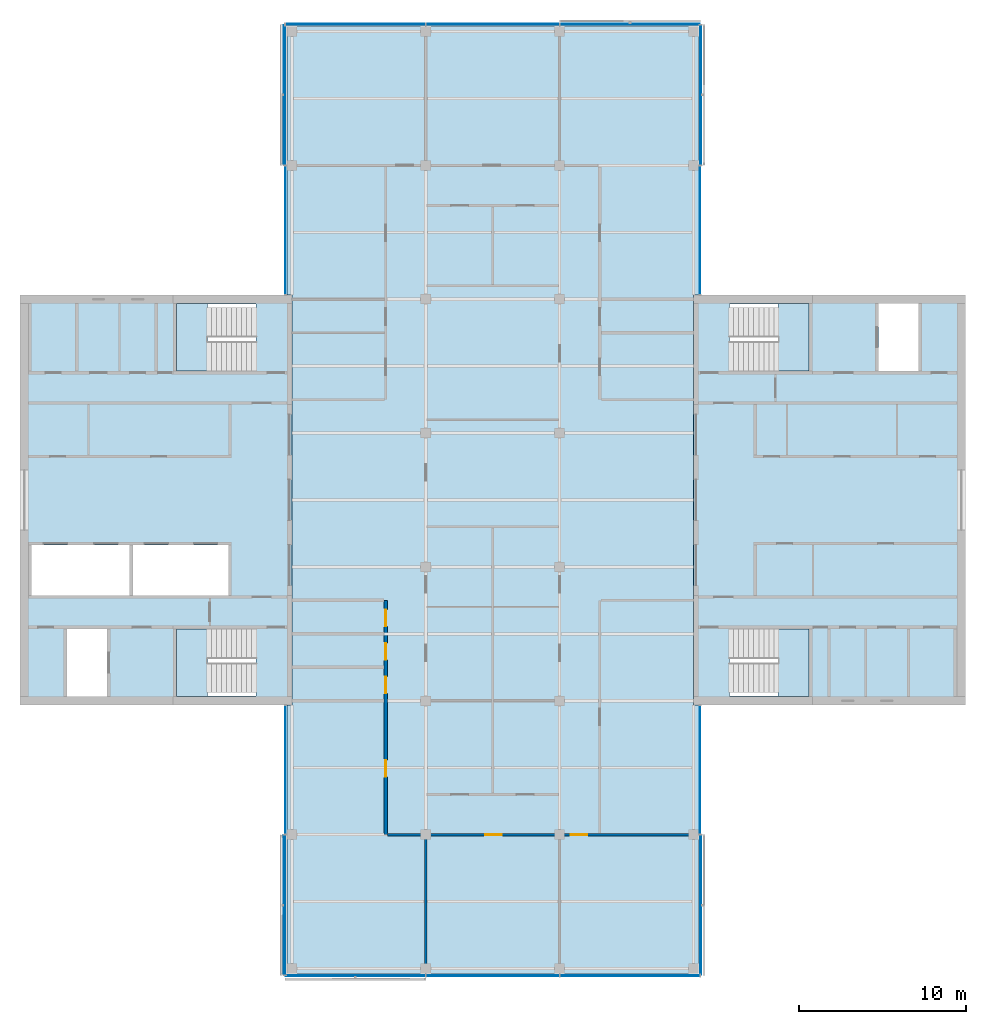
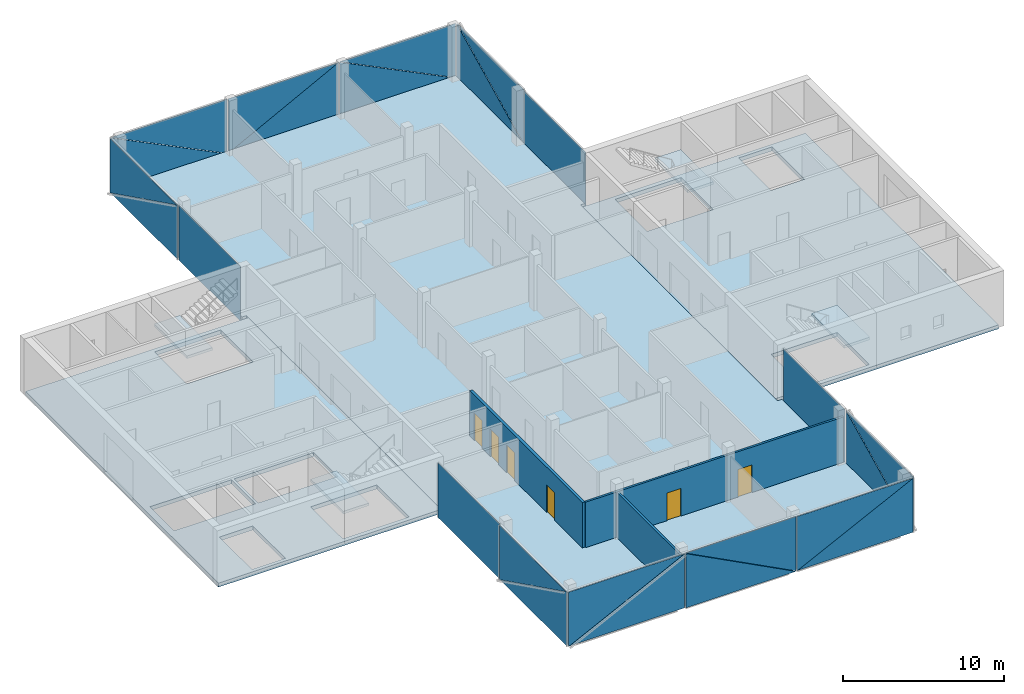
# One storey, part 8 of 16: 24 plates, 7 slabs, 6 doors, 3 walls, 6 openings, 14 elements without a shape of their own.
"""IFC4 building model written with IfcOpenShell, lengths in metres."""

import ifcopenshell
import ifcopenshell.guid

model = None  # the IFC model being written
_history = None  # IfcOwnerHistory: only IFC2X3 demands one
_inside = {}  # id of a spatial element -> (the spatial element, [elements in it])
_under = {}  # id of a project, library or spatial element -> (it, [spatial elements below it])
_declared = {}  # id of a project -> (the project, [libraries it declares])
_typed = {}  # id of a type object -> (the type object, [elements of that type])
_made_of = {}  # id of a material, layer set ... -> (it, [elements and type objects made of it])


def new_model(schema):
    """Start an empty IFC model of exactly this schema.

    Asked for "IFC4X3", IfcOpenShell would pick the latest addendum, in which some entities
    have other attributes; the version numbers below select the first issue.
    IFC2X3 requires an IfcOwnerHistory on every rooted entity: one is made here for all.
    """
    global model, _history
    if schema == "IFC4X3":
        model = ifcopenshell.file(schema_version=(4, 3, 0, 0))
    else:
        model = ifcopenshell.file(schema=schema)
    _inside.clear()
    _under.clear()
    _declared.clear()
    _typed.clear()
    _made_of.clear()
    _history = None
    if model.schema == "IFC2X3":
        org = make("IfcOrganization", Name="unknown")
        user = make(
            "IfcPersonAndOrganization",
            ThePerson=make("IfcPerson", FamilyName="unknown"),
            TheOrganization=org,
        )
        app = make(
            "IfcApplication",
            ApplicationDeveloper=org,
            Version="unknown",
            ApplicationFullName="unknown",
            ApplicationIdentifier="unknown",
        )
        _history = make(
            "IfcOwnerHistory",
            OwningUser=user,
            OwningApplication=app,
            ChangeAction="ADDED",
            CreationDate=0,
        )
    return model


def make(cls, **values):
    """One entity of the class cls with the attributes given. An attribute that is None is left unset."""
    return model.create_entity(
        cls, **{name: value for name, value in values.items() if value is not None}
    )


def rooted(cls, **values):
    """An entity with a GlobalId (a new one), such as an element, a storey or a relation."""
    return make(cls, GlobalId=ifcopenshell.guid.new(), OwnerHistory=_history, **values)


def si_unit(unit_type, name, prefix=None):
    """IfcSIUnit, for example si_unit("LENGTHUNIT", "METRE", prefix="MILLI")."""
    return make("IfcSIUnit", UnitType=unit_type, Prefix=prefix, Name=name)


def assignment(units):
    """IfcUnitAssignment: the units of a project."""
    return None if units is None else make("IfcUnitAssignment", Units=units)


def point(xyz):
    """IfcCartesianPoint."""
    return None if xyz is None else make("IfcCartesianPoint", Coordinates=xyz)


def direction(xyz):
    """IfcDirection."""
    return None if xyz is None else make("IfcDirection", DirectionRatios=xyz)


def frame(location, z_axis=None, x_axis=None):
    """IfcAxis2Placement3D, a coordinate frame: its origin and axes. An axis left out is left unset."""
    return make(
        "IfcAxis2Placement3D",
        Location=point(location),
        Axis=direction(z_axis),
        RefDirection=direction(x_axis),
    )


def frame_2d(location, x_axis=None):
    """IfcAxis2Placement2D, a coordinate frame in the plane: its origin and x axis."""
    return make(
        "IfcAxis2Placement2D", Location=point(location), RefDirection=direction(x_axis)
    )


def origin():
    """The frame at (0, 0, 0) with its axes left unset."""
    return frame((0.0, 0.0, 0.0))


def place(relative_to, where):
    """IfcLocalPlacement: puts the frame where relative to a parent placement (None: the world)."""
    return make(
        "IfcLocalPlacement", PlacementRelTo=relative_to, RelativePlacement=where
    )


def context(
    kind, dimensions, precision=None, world=None, true_north=None, identifier=None
):
    """IfcGeometricRepresentationContext, for example the 3D "Model" context."""
    return make(
        "IfcGeometricRepresentationContext",
        ContextIdentifier=identifier,
        ContextType=kind,
        CoordinateSpaceDimension=dimensions,
        Precision=precision,
        WorldCoordinateSystem=world,
        TrueNorth=true_north,
    )


def subcontext(parent, identifier, kind, view, scale=None):
    """IfcGeometricRepresentationSubContext, for example "Body" below "Model"."""
    return make(
        "IfcGeometricRepresentationSubContext",
        ContextIdentifier=identifier,
        ContextType=kind,
        ParentContext=parent,
        TargetScale=scale,
        TargetView=view,
    )


def project(units=None, contexts=None):
    """IfcProject with its units and contexts."""
    return rooted(
        "IfcProject",
        Name="project",
        RepresentationContexts=contexts,
        UnitsInContext=assignment(units),
    )


def spatial(cls, under=None, at=None, **own):
    """A site, building, storey or space (cls), placed at a placement, below another one or the project."""
    s = rooted(cls, ObjectPlacement=at, **own)
    if under is not None:
        _under.setdefault(under.id(), (under, []))[1].append(s)
    return s


def polyline(points):
    """IfcPolyline through the points."""
    return make("IfcPolyline", Points=[point(p) for p in points])


def profile(cls, at=None, kind="AREA", **sizes):
    """A parametric profile (cls). Its sizes go by their IFC names, for example OverallWidth=200.0."""
    return make(cls, ProfileType=kind, Position=at, **sizes)


def rectangle(**sizes):
    """IfcRectangleProfileDef."""
    return profile("IfcRectangleProfileDef", **sizes)


def outline(outer, holes=None, kind="AREA"):
    """IfcArbitraryClosedProfileDef: a profile drawn as a closed curve; with holes, ...WithVoids."""
    if holes is None:
        return make("IfcArbitraryClosedProfileDef", ProfileType=kind, OuterCurve=outer)
    return make(
        "IfcArbitraryProfileDefWithVoids",
        ProfileType=kind,
        OuterCurve=outer,
        InnerCurves=holes,
    )


def extrude(swept, where, along, depth):
    """IfcExtrudedAreaSolid: the profile swept, set in the frame where, extruded along a direction by depth."""
    return make(
        "IfcExtrudedAreaSolid",
        SweptArea=swept,
        Position=where,
        ExtrudedDirection=direction(along),
        Depth=depth,
    )


def shape(context_of_items, identifier, shape_type, items):
    """IfcShapeRepresentation: the items that make up one representation, for example the "Body"."""
    return make(
        "IfcShapeRepresentation",
        ContextOfItems=context_of_items,
        RepresentationIdentifier=identifier,
        RepresentationType=shape_type,
        Items=items,
    )


def material(Name=None, Category=None):
    """IfcMaterial."""
    return make("IfcMaterial", Name=Name, Category=Category)


def layer(
    of_material, thickness, ventilated=None, Name=None, Category=None, Priority=None
):
    """IfcMaterialLayer: one layer of a wall or slab, of a material (None: an air gap)."""
    return make(
        "IfcMaterialLayer",
        Material=of_material,
        LayerThickness=thickness,
        IsVentilated=ventilated,
        Name=Name,
        Category=Category,
        Priority=Priority,
    )


def layer_set(layers, Name=None):
    """IfcMaterialLayerSet."""
    return make("IfcMaterialLayerSet", MaterialLayers=layers, LayerSetName=Name)


def made_of(thing, what):
    """Note that an element or type object is made of a material, layer set ...; save() writes the relation."""
    if what is not None:
        _made_of.setdefault(what.id(), (what, []))[1].append(thing)
    return thing


def type_object(cls, material=None, **own):
    """A type object (cls), such as IfcWallType, which elements share."""
    return made_of(rooted(cls, **own), material)


def element(
    cls,
    number,
    at=None,
    inside=None,
    cuts=None,
    type_object=None,
    material=None,
    context=None,
    identifier="Body",
    shape_type=None,
    held_by="IfcProductDefinitionShape",
    body=None,
    shapes=None,
    **own,
):
    """One element of the class cls, such as IfcWall. Its Tag is "e" and its number.

    at: its placement. inside: the storey or other place that contains it. cuts: it is an
    opening in that element (IfcRelVoidsElement). A single representation is given by context,
    identifier, shape_type and body (its items); several are given by shapes. held_by: the class
    of the entity that holds the representations. save() writes the other relations.
    """
    e = rooted(cls, Tag="e%d" % number, ObjectPlacement=at, **own)
    if body is not None:
        shapes = [shape(context, identifier, shape_type, body)]
    if shapes is not None:
        e.Representation = make(held_by, Representations=shapes)
    if inside is not None:
        _inside.setdefault(inside.id(), (inside, []))[1].append(e)
    if cuts is not None:
        rooted(
            "IfcRelVoidsElement", RelatingBuildingElement=cuts, RelatedOpeningElement=e
        )
    if type_object is not None:
        _typed.setdefault(type_object.id(), (type_object, []))[1].append(e)
    return made_of(e, material)


def fill(opening, filler):
    """IfcRelFillsElement: the door or window that sits in an opening."""
    return rooted(
        "IfcRelFillsElement",
        RelatingOpeningElement=opening,
        RelatedBuildingElement=filler,
    )


def aggregate(whole, parts):
    """IfcRelAggregates: a whole, such as a stair, and the parts it consists of."""
    return rooted("IfcRelAggregates", RelatingObject=whole, RelatedObjects=parts)


def save(model, path):
    """Write the relations noted so far, then the file.

    IfcRelAggregates (storeys below a building ...), IfcRelContainedInSpatialStructure (elements
    in a storey), IfcRelDefinesByType, IfcRelAssociatesMaterial and IfcRelDeclares: one each for
    every whole, place, type object, material and project.
    """
    for whole, parts in _under.values():
        aggregate(whole, parts)
    for where, things in _inside.values():
        rooted(
            "IfcRelContainedInSpatialStructure",
            RelatedElements=things,
            RelatingStructure=where,
        )
    for kind, things in _typed.values():
        rooted("IfcRelDefinesByType", RelatedObjects=things, RelatingType=kind)
    for what, things in _made_of.values():
        rooted("IfcRelAssociatesMaterial", RelatedObjects=things, RelatingMaterial=what)
    for by, libraries in _declared.values():
        rooted("IfcRelDeclares", RelatingContext=by, RelatedDefinitions=libraries)
    model.write(path)


model = new_model("IFC4")

# Units and contexts
model_context = context("Model", 3, precision=1e-05, world=origin(), true_north=direction((0.0, 1.0)))
body_context = subcontext(model_context, "Body", "Model", "MODEL_VIEW")
ifc_project = project(units=[si_unit("LENGTHUNIT", "METRE"), si_unit("AREAUNIT", "SQUARE_METRE"), si_unit("VOLUMEUNIT", "CUBIC_METRE"), si_unit("PLANEANGLEUNIT", "RADIAN"), si_unit("MASSUNIT", "GRAM", prefix="KILO")], contexts=[model_context])

# Site, building, storey
site_placement = place(None, origin())
site = spatial("IfcSite", under=ifc_project, at=site_placement, CompositionType="ELEMENT")
building_placement = place(site_placement, origin())
building = spatial("IfcBuilding", under=site, at=building_placement, Name="Crosswind Convention Tower", CompositionType="ELEMENT")
storey_placement = place(building_placement, frame((0.0, 0.0, 336.5)))
storey = spatial("IfcBuildingStorey", under=building, at=storey_placement, Name="L73", CompositionType="ELEMENT", Elevation=336.5)

# Slabs
ifc_material_1 = material(Name="Concrete C40/50", Category="concrete")
ifc_layer_1 = layer(ifc_material_1, 0.300048828125)
ifc_layer_set_1 = layer_set([ifc_layer_1], Name="Concrete C40/50")
slab_type_1 = type_object("IfcSlabType", Name="Composite floor slab 300", PredefinedType="FLOOR", material=ifc_layer_set_1)
slab_1_placement = place(storey_placement, frame((0.0, 0.0, -0.300048828125)))
element("IfcSlab", 1, at=slab_1_placement, inside=storey, type_object=slab_type_1, Name="Floor slab L73", PredefinedType="FLOOR", context=body_context, shape_type="SweptSolid", body=[
    extrude(outline(polyline([(137.300048828125, 71.699951171875), (137.0, 71.699951171875), (113.0, 71.699951171875), (112.699951171875, 71.699951171875), (112.699951171875, 72.0), (112.699951171875, 87.75), (113.0, 87.75), (113.0, 112.25), (112.699951171875, 112.25), (112.699951171875, 128.0), (112.699951171875, 128.300048828125), (113.0, 128.300048828125), (137.0, 128.300048828125), (137.300048828125, 128.300048828125), (137.300048828125, 128.0), (137.300048828125, 112.25), (137.0, 112.25), (137.0, 87.75), (137.300048828125, 87.75), (137.300048828125, 72.0), (137.300048828125, 71.699951171875)])), origin(), (0.0, 0.0, 1.0), 0.300048828125),
])
ifc_layer_2 = layer(ifc_material_1, 0.300048828125)
ifc_layer_set_2 = layer_set([ifc_layer_2], Name="Concrete C40/50")
slab_type_2 = type_object("IfcSlabType", Name="Concrete core floor slab 300", PredefinedType="FLOOR", material=ifc_layer_set_2)
slab_2_placement = place(storey_placement, frame((0.0, 0.0, -0.300048828125)))
element("IfcSlab", 2, at=slab_2_placement, inside=storey, type_object=slab_type_2, Name="Core floor slab E L73", PredefinedType="FLOOR", context=body_context, shape_type="SweptSolid", body=[
    extrude(outline(polyline([(137.0, 88.0), (153.0, 88.0), (153.0, 112.0), (137.0, 112.0), (137.0, 88.0)]), holes=[polyline([(150.449951171875, 107.699951171875), (150.449951171875, 111.75), (148.050048828125, 111.75), (148.050048828125, 107.699951171875), (150.449951171875, 107.699951171875)]), polyline([(143.89990234375, 107.699951171875), (143.89990234375, 111.699951171875), (139.14990234375, 111.699951171875), (139.14990234375, 107.699951171875), (143.89990234375, 107.699951171875)]), polyline([(143.89990234375, 88.300048828125), (143.89990234375, 92.300048828125), (139.14990234375, 92.300048828125), (139.14990234375, 88.300048828125), (143.89990234375, 88.300048828125)])]), origin(), (0.0, 0.0, 1.0), 0.300048828125),
])
slab_3_placement = place(storey_placement, frame((0.0, 0.0, -0.300048828125)))
element("IfcSlab", 3, at=slab_3_placement, inside=storey, type_object=slab_type_2, Name="Core floor slab W L73", PredefinedType="FLOOR", context=body_context, shape_type="SweptSolid", body=[
    extrude(outline(polyline([(97.0, 88.0), (113.0, 88.0), (113.0, 112.0), (97.0, 112.0), (97.0, 88.0)]), holes=[polyline([(109.199951171875, 94.300048828125), (109.199951171875, 97.300048828125), (103.5, 97.300048828125), (103.5, 94.300048828125), (109.199951171875, 94.300048828125)]), polyline([(103.300048828125, 94.300048828125), (103.300048828125, 97.300048828125), (97.449951171875, 97.300048828125), (97.449951171875, 94.300048828125), (103.300048828125, 94.300048828125)]), polyline([(101.949951171875, 88.25), (101.949951171875, 92.300048828125), (99.550048828125, 92.300048828125), (99.550048828125, 88.25), (101.949951171875, 88.25)]), polyline([(110.85009765625, 88.300048828125), (110.85009765625, 92.300048828125), (106.10009765625, 92.300048828125), (106.10009765625, 88.300048828125), (110.85009765625, 88.300048828125)]), polyline([(110.85009765625, 107.699951171875), (110.85009765625, 111.699951171875), (106.10009765625, 111.699951171875), (106.10009765625, 107.699951171875), (110.85009765625, 107.699951171875)])]), origin(), (0.0, 0.0, 1.0), 0.300048828125),
])

# Stair, slab
stair_type = type_object("IfcStairType", Name="Exit stair 1800 wide, 2 flights of 11 risers", PredefinedType="HALF_TURN_STAIR", material=ifc_material_1)
stair_1_placement = place(storey_placement, origin())
stair_1 = element("IfcStair", 4, at=stair_1_placement, inside=storey, type_object=stair_type, Name="Exit stair ST1 L73", ObjectType="ST5", PredefinedType="HALF_TURN_STAIR")
ifc_layer_3 = layer(ifc_material_1, 0.199951171875)
ifc_layer_set_3 = layer_set([ifc_layer_3], Name="Concrete C40/50")
slab_type_3 = type_object("IfcSlabType", Name="Stair landing 200", PredefinedType="LANDING", material=ifc_layer_set_3)
slab_4_placement = place(storey_placement, frame((0.0, 0.0, 1.89990234375)))
slab_4 = element("IfcSlab", 5, at=slab_4_placement, type_object=slab_type_3, Name="ST1 landing 1", PredefinedType="LANDING", context=body_context, shape_type="SweptSolid", body=[
    extrude(outline(polyline([(143.89990234375, 107.699951171875), (143.89990234375, 111.75), (142.050048828125, 111.75), (142.050048828125, 107.699951171875), (143.89990234375, 107.699951171875)])), origin(), (0.0, 0.0, 1.0), 0.2001953125),
])
aggregate(stair_1, [slab_4])

stair_2_placement = place(storey_placement, origin())
stair_2 = element("IfcStair", 6, at=stair_2_placement, inside=storey, type_object=stair_type, Name="Exit stair ST2 L73", ObjectType="ST5", PredefinedType="HALF_TURN_STAIR")
slab_5_placement = place(storey_placement, frame((0.0, 0.0, 1.89990234375)))
slab_5 = element("IfcSlab", 7, at=slab_5_placement, type_object=slab_type_3, Name="ST2 landing 1", PredefinedType="LANDING", context=body_context, shape_type="SweptSolid", body=[
    extrude(outline(polyline([(143.89990234375, 88.25), (143.89990234375, 92.300048828125), (142.050048828125, 92.300048828125), (142.050048828125, 88.25), (143.89990234375, 88.25)])), origin(), (0.0, 0.0, 1.0), 0.2001953125),
])
aggregate(stair_2, [slab_5])

stair_3_placement = place(storey_placement, origin())
stair_3 = element("IfcStair", 8, at=stair_3_placement, inside=storey, type_object=stair_type, Name="Exit stair ST3 L73", ObjectType="ST5", PredefinedType="HALF_TURN_STAIR")
slab_6_placement = place(storey_placement, frame((0.0, 0.0, 1.89990234375)))
slab_6 = element("IfcSlab", 9, at=slab_6_placement, type_object=slab_type_3, Name="ST3 landing 1", PredefinedType="LANDING", context=body_context, shape_type="SweptSolid", body=[
    extrude(outline(polyline([(107.949951171875, 88.25), (107.949951171875, 92.300048828125), (106.10009765625, 92.300048828125), (106.10009765625, 88.25), (107.949951171875, 88.25)])), origin(), (0.0, 0.0, 1.0), 0.2001953125),
])
aggregate(stair_3, [slab_6])

stair_4_placement = place(storey_placement, origin())
stair_4 = element("IfcStair", 10, at=stair_4_placement, inside=storey, type_object=stair_type, Name="Exit stair ST4 L73", ObjectType="ST5", PredefinedType="HALF_TURN_STAIR")
slab_7_placement = place(storey_placement, frame((0.0, 0.0, 1.89990234375)))
slab_7 = element("IfcSlab", 11, at=slab_7_placement, type_object=slab_type_3, Name="ST4 landing 1", PredefinedType="LANDING", context=body_context, shape_type="SweptSolid", body=[
    extrude(outline(polyline([(107.949951171875, 107.699951171875), (107.949951171875, 111.75), (106.10009765625, 111.75), (106.10009765625, 107.699951171875), (107.949951171875, 107.699951171875)])), origin(), (0.0, 0.0, 1.0), 0.2001953125),
])
aggregate(stair_4, [slab_7])

# Curtain wall, plate
ifc_material_2 = material(Name="Aluminium unitised curtain wall", Category="aluminium")
curtain_wall_type_1 = type_object("IfcCurtainWallType", Name="CORE END SLOT WALL 160", PredefinedType="USERDEFINED", material=ifc_material_2)
curtain_wall_1_placement = place(storey_placement, origin())
curtain_wall_1 = element("IfcCurtainWall", 12, at=curtain_wall_1_placement, inside=storey, type_object=curtain_wall_type_1, Name="CW6 L73 N-E.1-1 slot", ObjectType="UNITISED", PredefinedType="USERDEFINED")
ifc_material_3 = material(Name="Laminated insulating glass unit", Category="glass")
ifc_layer_4 = layer(ifc_material_3, 0.02587890625)
ifc_layer_set_4 = layer_set([ifc_layer_4], Name="TRIANGULAR GLASS PANEL 26")
plate_type_1 = type_object("IfcPlateType", Name="TRIANGULAR GLASS PANEL 26", PredefinedType="CURTAIN_PANEL", material=ifc_layer_set_4)
plate_1_placement = place(storey_placement, frame((137.40673828125, 112.300048828125, -0.300048828125), z_axis=(0.999999937709, 0.0, 0.000352961917), x_axis=(0.0, 1.0, 0.0)))
plate_1 = element("IfcPlate", 13, at=plate_1_placement, type_object=plate_type_1, Name="CW6 panel 1.1", PredefinedType="CURTAIN_PANEL", context=body_context, shape_type="SweptSolid", body=[
    extrude(outline(polyline([(0.0, 0.0), (7.64990234375, 0.0), (7.64990234375, 4.150146742892037), (0.0, 4.150146742892037), (0.0, 0.0)])), origin(), (0.0, 0.0, -1.0), 0.02587890625),
])
aggregate(curtain_wall_1, [plate_1])

curtain_wall_2_placement = place(storey_placement, origin())
curtain_wall_2 = element("IfcCurtainWall", 14, at=curtain_wall_2_placement, inside=storey, type_object=curtain_wall_type_1, Name="CW6 L73 N-W.1-2 slot", ObjectType="UNITISED", PredefinedType="USERDEFINED")
plate_2_placement = place(storey_placement, frame((112.59326171875, 119.949951171875, -0.300048828125), z_axis=(-0.999999937709, 0.0, 0.000352961917), x_axis=(0.0, -1.0, 0.0)))
plate_2 = element("IfcPlate", 15, at=plate_2_placement, type_object=plate_type_1, Name="CW6 panel 1.1", PredefinedType="CURTAIN_PANEL", context=body_context, shape_type="SweptSolid", body=[
    extrude(outline(polyline([(0.0, 0.0), (7.64990234375, 0.0), (7.64990234375, 4.150146742892037), (0.0, 4.150146742892037), (0.0, 0.0)])), origin(), (0.0, 0.0, -1.0), 0.02587890625),
])
aggregate(curtain_wall_2, [plate_2])

curtain_wall_3_placement = place(storey_placement, origin())
curtain_wall_3 = element("IfcCurtainWall", 16, at=curtain_wall_3_placement, inside=storey, type_object=curtain_wall_type_1, Name="CW6 L73 S-W.1-1 slot", ObjectType="UNITISED", PredefinedType="USERDEFINED")
plate_3_placement = place(storey_placement, frame((112.59326171875, 87.699951171875, -0.300048828125), z_axis=(-0.999999937709, 0.0, 0.000352961917), x_axis=(0.0, -1.0, 0.0)))
plate_3 = element("IfcPlate", 17, at=plate_3_placement, type_object=plate_type_1, Name="CW6 panel 1.1", PredefinedType="CURTAIN_PANEL", context=body_context, shape_type="SweptSolid", body=[
    extrude(outline(polyline([(0.0, 0.0), (7.64990234375, 0.0), (7.64990234375, 4.150146742892037), (0.0, 4.150146742892037), (0.0, 0.0)])), origin(), (0.0, 0.0, -1.0), 0.02587890625),
])
aggregate(curtain_wall_3, [plate_3])

curtain_wall_4_placement = place(storey_placement, origin())
curtain_wall_4 = element("IfcCurtainWall", 18, at=curtain_wall_4_placement, inside=storey, type_object=curtain_wall_type_1, Name="CW6 L73 S-E.1-2 slot", ObjectType="UNITISED", PredefinedType="USERDEFINED")
plate_4_placement = place(storey_placement, frame((137.40673828125, 80.050048828125, -0.300048828125), z_axis=(0.999999937709, 0.0, 0.000352961917), x_axis=(0.0, 1.0, 0.0)))
plate_4 = element("IfcPlate", 19, at=plate_4_placement, type_object=plate_type_1, Name="CW6 panel 1.1", PredefinedType="CURTAIN_PANEL", context=body_context, shape_type="SweptSolid", body=[
    extrude(outline(polyline([(0.0, 0.0), (7.64990234375, 0.0), (7.64990234375, 4.150146742892037), (0.0, 4.150146742892037), (0.0, 0.0)])), origin(), (0.0, 0.0, -1.0), 0.02587890625),
])
aggregate(curtain_wall_4, [plate_4])

# Curtain wall, plates
curtain_wall_type_2 = type_object("IfcCurtainWallType", Name="OFFICE UNITISED WALL 220", PredefinedType="USERDEFINED", material=ifc_material_2)
curtain_wall_5_placement = place(storey_placement, origin())
curtain_wall_5 = element("IfcCurtainWall", 20, at=curtain_wall_5_placement, inside=storey, type_object=curtain_wall_type_2, Name="CW3 L73 N-E 1", ObjectType="UNITISED", PredefinedType="USERDEFINED")
ifc_layer_5 = layer(ifc_material_3, 0.031982421875)
ifc_layer_set_5 = layer_set([ifc_layer_5], Name="TRIANGULAR GLASS PANEL 32")
plate_type_2 = type_object("IfcPlateType", Name="TRIANGULAR GLASS PANEL 32", PredefinedType="CURTAIN_PANEL", material=ifc_layer_set_5)
plate_5_placement = place(storey_placement, frame((137.44287109375, 128.375, -0.300048828125), z_axis=(0.999999913924, 0.0, 0.000414913129), x_axis=(-0.000414913129, 0.0, 0.999999913924)))
plate_5 = element("IfcPlate", 21, at=plate_5_placement, type_object=plate_type_2, Name="CW3 panel 1.1", PredefinedType="CURTAIN_PANEL", context=body_context, shape_type="SweptSolid", body=[
    extrude(outline(polyline([(0.0, 0.0), (4.118896838915043, 0.0), (0.0, 8.317382812500002), (0.0, 0.0)])), origin(), (0.0, 0.0, -1.0), 0.031982421875),
])
plate_6_placement = place(storey_placement, frame((137.47509765625, 120.034912109375, 3.830078125), z_axis=(0.999999913924, 0.0, 0.000414913129), x_axis=(0.000414913129, 0.0, -0.999999913924)))
plate_6 = element("IfcPlate", 22, at=plate_6_placement, type_object=plate_type_2, Name="CW3 panel 1.2", PredefinedType="CURTAIN_PANEL", context=body_context, shape_type="SweptSolid", body=[
    extrude(outline(polyline([(0.0, 0.0), (4.118896838915043, 0.0), (0.0, 8.317626953124998), (0.0, 0.0)])), origin(), (0.0, 0.0, -1.0), 0.031982421875),
])
aggregate(curtain_wall_5, [plate_5, plate_6])

curtain_wall_6_placement = place(storey_placement, origin())
curtain_wall_6 = element("IfcCurtainWall", 23, at=curtain_wall_6_placement, inside=storey, type_object=curtain_wall_type_2, Name="CW3 L73 N-TIP 1", ObjectType="UNITISED", PredefinedType="USERDEFINED")
plate_7_placement = place(storey_placement, frame((129.034912109375, 128.44287109375, -0.300048828125), z_axis=(0.0, 0.999999913924, 0.000414913129), x_axis=(0.0, -0.000414913129, 0.999999913924)))
plate_7 = element("IfcPlate", 24, at=plate_7_placement, type_object=plate_type_2, Name="CW3 panel 1.1", PredefinedType="CURTAIN_PANEL", context=body_context, shape_type="SweptSolid", body=[
    extrude(outline(polyline([(0.0, 0.0), (4.118896838915043, 0.0), (0.0, 8.317626953124998), (0.0, 0.0)])), origin(), (0.0, 0.0, -1.0), 0.031982421875),
])
plate_8_placement = place(storey_placement, frame((137.375, 128.47509765625, 3.830078125), z_axis=(0.0, 0.999999913924, 0.000414913129), x_axis=(0.0, 0.000414913129, -0.999999913924)))
plate_8 = element("IfcPlate", 25, at=plate_8_placement, type_object=plate_type_2, Name="CW3 panel 1.2", PredefinedType="CURTAIN_PANEL", context=body_context, shape_type="SweptSolid", body=[
    extrude(outline(polyline([(0.0, 0.0), (4.118896838915043, 0.0), (0.0, 8.317382812500002), (0.0, 0.0)])), origin(), (0.0, 0.0, -1.0), 0.031982421875),
])
plate_9_placement = place(storey_placement, frame((121.034912109375, 128.441162109375, 3.830078125), z_axis=(0.0, 0.999999913924, 0.000414913129), x_axis=(1.0, 0.0, 0.0)))
plate_9 = element("IfcPlate", 26, at=plate_9_placement, type_object=plate_type_2, Name="CW3 panel 2.1", PredefinedType="CURTAIN_PANEL", context=body_context, shape_type="SweptSolid", body=[
    extrude(outline(polyline([(0.0, 0.0), (7.908447265625, 0.0), (0.0, 4.118896838915043), (0.0, 0.0)])), origin(), (0.0, 0.0, -1.0), 0.031982421875),
])
plate_10_placement = place(storey_placement, frame((128.965087890625, 128.476806640625, -0.300048828125), z_axis=(0.0, 0.999999913913, 0.000414937724), x_axis=(-1.0, 0.0, 0.0)))
plate_10 = element("IfcPlate", 27, at=plate_10_placement, type_object=plate_type_2, Name="CW3 panel 2.2", PredefinedType="CURTAIN_PANEL", context=body_context, shape_type="SweptSolid", body=[
    extrude(outline(polyline([(0.0, 0.0), (7.908447265625, 0.0), (0.0, 4.118652698311059), (0.0, 0.0)])), origin(), (0.0, 0.0, -1.0), 0.031982421875),
])
plate_11_placement = place(storey_placement, frame((112.625, 128.44287109375, -0.300048828125), z_axis=(0.0, 0.999999913924, 0.000414913129), x_axis=(0.0, -0.000414913129, 0.999999913924)))
plate_11 = element("IfcPlate", 28, at=plate_11_placement, type_object=plate_type_2, Name="CW3 panel 3.1", PredefinedType="CURTAIN_PANEL", context=body_context, shape_type="SweptSolid", body=[
    extrude(outline(polyline([(0.0, 0.0), (4.118896838915043, 0.0), (0.0, 8.317382812500002), (0.0, 0.0)])), origin(), (0.0, 0.0, -1.0), 0.031982421875),
])
plate_12_placement = place(storey_placement, frame((120.965087890625, 128.47509765625, 3.830078125), z_axis=(0.0, 0.999999913924, 0.000414913129), x_axis=(0.0, 0.000414913129, -0.999999913924)))
plate_12 = element("IfcPlate", 29, at=plate_12_placement, type_object=plate_type_2, Name="CW3 panel 3.2", PredefinedType="CURTAIN_PANEL", context=body_context, shape_type="SweptSolid", body=[
    extrude(outline(polyline([(0.0, 0.0), (4.118896838915043, 0.0), (0.0, 8.317626953124998), (0.0, 0.0)])), origin(), (0.0, 0.0, -1.0), 0.031982421875),
])
aggregate(curtain_wall_6, [plate_7, plate_8, plate_9, plate_10, plate_11, plate_12])

curtain_wall_7_placement = place(storey_placement, origin())
curtain_wall_7 = element("IfcCurtainWall", 30, at=curtain_wall_7_placement, inside=storey, type_object=curtain_wall_type_2, Name="CW3 L73 N-W 1", ObjectType="UNITISED", PredefinedType="USERDEFINED")
plate_13_placement = place(storey_placement, frame((112.55712890625, 120.034912109375, -0.300048828125), z_axis=(-0.999999913924, 0.0, 0.000414913129), x_axis=(0.000414913129, 0.0, 0.999999913924)))
plate_13 = element("IfcPlate", 31, at=plate_13_placement, type_object=plate_type_2, Name="CW3 panel 1.1", PredefinedType="CURTAIN_PANEL", context=body_context, shape_type="SweptSolid", body=[
    extrude(outline(polyline([(0.0, 0.0), (4.118896838915043, 0.0), (0.0, 8.317626953124998), (0.0, 0.0)])), origin(), (0.0, 0.0, -1.0), 0.031982421875),
])
plate_14_placement = place(storey_placement, frame((112.52490234375, 128.375, 3.830078125), z_axis=(-0.999999913924, 0.0, 0.000414913129), x_axis=(-0.000414913129, 0.0, -0.999999913924)))
plate_14 = element("IfcPlate", 32, at=plate_14_placement, type_object=plate_type_2, Name="CW3 panel 1.2", PredefinedType="CURTAIN_PANEL", context=body_context, shape_type="SweptSolid", body=[
    extrude(outline(polyline([(0.0, 0.0), (4.118896838915043, 0.0), (0.0, 8.317382812500002), (0.0, 0.0)])), origin(), (0.0, 0.0, -1.0), 0.031982421875),
])
aggregate(curtain_wall_7, [plate_13, plate_14])

curtain_wall_8_placement = place(storey_placement, origin())
curtain_wall_8 = element("IfcCurtainWall", 33, at=curtain_wall_8_placement, inside=storey, type_object=curtain_wall_type_2, Name="CW3 L73 S-W 1", ObjectType="UNITISED", PredefinedType="USERDEFINED")
plate_15_placement = place(storey_placement, frame((112.55712890625, 71.625, -0.300048828125), z_axis=(-0.999999913924, 0.0, 0.000414913129), x_axis=(0.000414913129, 0.0, 0.999999913924)))
plate_15 = element("IfcPlate", 34, at=plate_15_placement, type_object=plate_type_2, Name="CW3 panel 1.1", PredefinedType="CURTAIN_PANEL", context=body_context, shape_type="SweptSolid", body=[
    extrude(outline(polyline([(0.0, 0.0), (4.118896838915043, 0.0), (0.0, 8.317382812500002), (0.0, 0.0)])), origin(), (0.0, 0.0, -1.0), 0.031982421875),
])
plate_16_placement = place(storey_placement, frame((112.52490234375, 79.965087890625, 3.830078125), z_axis=(-0.999999913924, 0.0, 0.000414913129), x_axis=(-0.000414913129, 0.0, -0.999999913924)))
plate_16 = element("IfcPlate", 35, at=plate_16_placement, type_object=plate_type_2, Name="CW3 panel 1.2", PredefinedType="CURTAIN_PANEL", context=body_context, shape_type="SweptSolid", body=[
    extrude(outline(polyline([(0.0, 0.0), (4.118896838915043, 0.0), (0.0, 8.317626953124998), (0.0, 0.0)])), origin(), (0.0, 0.0, -1.0), 0.031982421875),
])
aggregate(curtain_wall_8, [plate_15, plate_16])

curtain_wall_9_placement = place(storey_placement, origin())
curtain_wall_9 = element("IfcCurtainWall", 36, at=curtain_wall_9_placement, inside=storey, type_object=curtain_wall_type_2, Name="CW3 L73 S-TIP 1", ObjectType="UNITISED", PredefinedType="USERDEFINED")
plate_17_placement = place(storey_placement, frame((120.965087890625, 71.55712890625, -0.300048828125), z_axis=(0.0, -0.999999913924, 0.000414913129), x_axis=(0.0, 0.000414913129, 0.999999913924)))
plate_17 = element("IfcPlate", 37, at=plate_17_placement, type_object=plate_type_2, Name="CW3 panel 1.1", PredefinedType="CURTAIN_PANEL", context=body_context, shape_type="SweptSolid", body=[
    extrude(outline(polyline([(0.0, 0.0), (4.118896838915043, 0.0), (0.0, 8.317626953124998), (0.0, 0.0)])), origin(), (0.0, 0.0, -1.0), 0.031982421875),
])
plate_18_placement = place(storey_placement, frame((112.625, 71.52490234375, 3.830078125), z_axis=(0.0, -0.999999913924, 0.000414913129), x_axis=(0.0, -0.000414913129, -0.999999913924)))
plate_18 = element("IfcPlate", 38, at=plate_18_placement, type_object=plate_type_2, Name="CW3 panel 1.2", PredefinedType="CURTAIN_PANEL", context=body_context, shape_type="SweptSolid", body=[
    extrude(outline(polyline([(0.0, 0.0), (4.118896838915043, 0.0), (0.0, 8.317382812500002), (0.0, 0.0)])), origin(), (0.0, 0.0, -1.0), 0.031982421875),
])
plate_19_placement = place(storey_placement, frame((128.965087890625, 71.558837890625, 3.830078125), z_axis=(0.0, -0.999999913924, 0.000414913129), x_axis=(-1.0, 0.0, 0.0)))
plate_19 = element("IfcPlate", 39, at=plate_19_placement, type_object=plate_type_2, Name="CW3 panel 2.1", PredefinedType="CURTAIN_PANEL", context=body_context, shape_type="SweptSolid", body=[
    extrude(outline(polyline([(0.0, 0.0), (7.908447265625, 0.0), (0.0, 4.118896838915043), (0.0, 0.0)])), origin(), (0.0, 0.0, -1.0), 0.031982421875),
])
plate_20_placement = place(storey_placement, frame((121.034912109375, 71.523193359375, -0.300048828125), z_axis=(0.0, -0.999999913913, 0.000414937724), x_axis=(1.0, 0.0, 0.0)))
plate_20 = element("IfcPlate", 40, at=plate_20_placement, type_object=plate_type_2, Name="CW3 panel 2.2", PredefinedType="CURTAIN_PANEL", context=body_context, shape_type="SweptSolid", body=[
    extrude(outline(polyline([(0.0, 0.0), (7.908447265625, 0.0), (0.0, 4.118652698311059), (0.0, 0.0)])), origin(), (0.0, 0.0, -1.0), 0.031982421875),
])
plate_21_placement = place(storey_placement, frame((137.375, 71.55712890625, -0.300048828125), z_axis=(0.0, -0.999999913924, 0.000414913129), x_axis=(0.0, 0.000414913129, 0.999999913924)))
plate_21 = element("IfcPlate", 41, at=plate_21_placement, type_object=plate_type_2, Name="CW3 panel 3.1", PredefinedType="CURTAIN_PANEL", context=body_context, shape_type="SweptSolid", body=[
    extrude(outline(polyline([(0.0, 0.0), (4.118896838915043, 0.0), (0.0, 8.317382812500002), (0.0, 0.0)])), origin(), (0.0, 0.0, -1.0), 0.031982421875),
])
plate_22_placement = place(storey_placement, frame((129.034912109375, 71.52490234375, 3.830078125), z_axis=(0.0, -0.999999913924, 0.000414913129), x_axis=(0.0, -0.000414913129, -0.999999913924)))
plate_22 = element("IfcPlate", 42, at=plate_22_placement, type_object=plate_type_2, Name="CW3 panel 3.2", PredefinedType="CURTAIN_PANEL", context=body_context, shape_type="SweptSolid", body=[
    extrude(outline(polyline([(0.0, 0.0), (4.118896838915043, 0.0), (0.0, 8.317626953124998), (0.0, 0.0)])), origin(), (0.0, 0.0, -1.0), 0.031982421875),
])
aggregate(curtain_wall_9, [plate_17, plate_18, plate_19, plate_20, plate_21, plate_22])

curtain_wall_10_placement = place(storey_placement, origin())
curtain_wall_10 = element("IfcCurtainWall", 43, at=curtain_wall_10_placement, inside=storey, type_object=curtain_wall_type_2, Name="CW3 L73 S-E 1", ObjectType="UNITISED", PredefinedType="USERDEFINED")
plate_23_placement = place(storey_placement, frame((137.44287109375, 79.965087890625, -0.300048828125), z_axis=(0.999999913924, 0.0, 0.000414913129), x_axis=(-0.000414913129, 0.0, 0.999999913924)))
plate_23 = element("IfcPlate", 44, at=plate_23_placement, type_object=plate_type_2, Name="CW3 panel 1.1", PredefinedType="CURTAIN_PANEL", context=body_context, shape_type="SweptSolid", body=[
    extrude(outline(polyline([(0.0, 0.0), (4.118896838915043, 0.0), (0.0, 8.317626953124998), (0.0, 0.0)])), origin(), (0.0, 0.0, -1.0), 0.031982421875),
])
plate_24_placement = place(storey_placement, frame((137.47509765625, 71.625, 3.830078125), z_axis=(0.999999913924, 0.0, 0.000414913129), x_axis=(0.000414913129, 0.0, -0.999999913924)))
plate_24 = element("IfcPlate", 45, at=plate_24_placement, type_object=plate_type_2, Name="CW3 panel 1.2", PredefinedType="CURTAIN_PANEL", context=body_context, shape_type="SweptSolid", body=[
    extrude(outline(polyline([(0.0, 0.0), (4.118896838915043, 0.0), (0.0, 8.317382812500002), (0.0, 0.0)])), origin(), (0.0, 0.0, -1.0), 0.031982421875),
])
aggregate(curtain_wall_10, [plate_23, plate_24])

# Wall, openings, doors
ifc_material_4 = material(Name="Concrete blockwork", Category="masonry")
ifc_layer_6 = layer(ifc_material_4, 0.199951171875)
ifc_layer_set_6 = layer_set([ifc_layer_6], Name="COMPARTMENT WALL 200 BLOCKWORK")
wall_type_1 = type_object("IfcWallType", Name="COMPARTMENT WALL 200 BLOCKWORK", PredefinedType="SOLIDWALL", material=ifc_layer_set_6)
wall_1_placement = place(storey_placement, frame((118.60009765625, 80.0, 0.0), z_axis=(0.0, 0.0, 1.0), x_axis=(0.0, 1.0, 0.0)))
wall_1 = element("IfcWall", 46, at=wall_1_placement, inside=storey, type_object=wall_type_1, Name="Compartment wall WT42", PredefinedType="SOLIDWALL", context=body_context, shape_type="SweptSolid", body=[
    extrude(rectangle(XDim=14.0, YDim=0.199951171875, at=frame_2d((7.0, 0.0))), origin(), (0.0, 0.0, 1.0), 3.44287109375),
])
opening_1_placement = place(wall_1_placement, frame((12.449951171875, 0.0, 0.0)))
opening_1 = element("IfcOpeningElement", 47, at=opening_1_placement, cuts=wall_1, Name="Opening L73-57", PredefinedType="OPENING", context=body_context, shape_type="SweptSolid", body=[
    extrude(rectangle(XDim=1.0, YDim=2.10009765625, at=frame_2d((0.5, 1.050048828125))), frame((0.0, 0.10986328125, 0.0), z_axis=(0.0, -1.0, 0.0), x_axis=(1.0, 0.0, 0.0)), (0.0, 0.0, 1.0), 0.219970703125),
])
opening_2_placement = place(wall_1_placement, frame((10.449951171875, 0.0, 0.0)))
opening_2 = element("IfcOpeningElement", 48, at=opening_2_placement, cuts=wall_1, Name="Opening L73-58", PredefinedType="OPENING", context=body_context, shape_type="SweptSolid", body=[
    extrude(rectangle(XDim=1.0, YDim=2.10009765625, at=frame_2d((0.5, 1.050048828125))), frame((0.0, 0.10986328125, 0.0), z_axis=(0.0, -1.0, 0.0), x_axis=(1.0, 0.0, 0.0)), (0.0, 0.0, 1.0), 0.219970703125),
])
opening_3_placement = place(wall_1_placement, frame((8.449951171875, 0.0, 0.0)))
opening_3 = element("IfcOpeningElement", 49, at=opening_3_placement, cuts=wall_1, Name="Opening L73-59", PredefinedType="OPENING", context=body_context, shape_type="SweptSolid", body=[
    extrude(rectangle(XDim=1.0, YDim=2.10009765625, at=frame_2d((0.5, 1.050048828125))), frame((0.0, 0.10986328125, 0.0), z_axis=(0.0, -1.0, 0.0), x_axis=(1.0, 0.0, 0.0)), (0.0, 0.0, 1.0), 0.219970703125),
])
opening_4_placement = place(wall_1_placement, frame((3.449951171875, 0.0, 0.0)))
opening_4 = element("IfcOpeningElement", 50, at=opening_4_placement, cuts=wall_1, Name="Opening L73-60", PredefinedType="OPENING", context=body_context, shape_type="SweptSolid", body=[
    extrude(rectangle(XDim=1.0, YDim=2.10009765625, at=frame_2d((0.5, 1.050048828125))), frame((0.0, 0.10986328125, 0.0), z_axis=(0.0, -1.0, 0.0), x_axis=(1.0, 0.0, 0.0)), (0.0, 0.0, 1.0), 0.219970703125),
])
ifc_material_5 = material(Name="Steel fire door", Category="steel")
door_type_1 = type_object("IfcDoorType", Name="PLANT ROOM DOOR 1000X2100 FD60", OperationType="NOTDEFINED", PredefinedType="DOOR", material=ifc_material_5)
door_1_placement = place(opening_1_placement, origin())
door_1 = element("IfcDoor", 51, at=door_1_placement, inside=storey, type_object=door_type_1, Name="Door L73-57", ObjectType="D43", OperationType="SINGLE_SWING_LEFT", OverallHeight=2.10009765625, OverallWidth=1.0, PredefinedType="DOOR", context=body_context, shape_type="SweptSolid", body=[
    extrude(rectangle(XDim=1.0, YDim=2.10009765625, at=frame_2d((0.5, 1.050048828125))), frame((0.0, 0.02490234375, 0.0), z_axis=(0.0, -1.0, 0.0), x_axis=(1.0, 0.0, 0.0)), (0.0, 0.0, 1.0), 0.050048828125),
])
fill(opening_1, door_1)
door_2_placement = place(opening_2_placement, origin())
door_2 = element("IfcDoor", 52, at=door_2_placement, inside=storey, type_object=door_type_1, Name="Door L73-58", ObjectType="D43", OperationType="SINGLE_SWING_LEFT", OverallHeight=2.10009765625, OverallWidth=1.0, PredefinedType="DOOR", context=body_context, shape_type="SweptSolid", body=[
    extrude(rectangle(XDim=1.0, YDim=2.10009765625, at=frame_2d((0.5, 1.050048828125))), frame((0.0, 0.02490234375, 0.0), z_axis=(0.0, -1.0, 0.0), x_axis=(1.0, 0.0, 0.0)), (0.0, 0.0, 1.0), 0.050048828125),
])
fill(opening_2, door_2)
door_3_placement = place(opening_3_placement, origin())
door_3 = element("IfcDoor", 53, at=door_3_placement, inside=storey, type_object=door_type_1, Name="Door L73-59", ObjectType="D43", OperationType="SINGLE_SWING_LEFT", OverallHeight=2.10009765625, OverallWidth=1.0, PredefinedType="DOOR", context=body_context, shape_type="SweptSolid", body=[
    extrude(rectangle(XDim=1.0, YDim=2.10009765625, at=frame_2d((0.5, 1.050048828125))), frame((0.0, 0.02490234375, 0.0), z_axis=(0.0, -1.0, 0.0), x_axis=(1.0, 0.0, 0.0)), (0.0, 0.0, 1.0), 0.050048828125),
])
fill(opening_3, door_3)
ifc_material_6 = material(Name="Timber fire door", Category="wood")
door_type_2 = type_object("IfcDoorType", Name="TENANCY ENTRANCE DOOR 1000X2100 FD30S", OperationType="NOTDEFINED", PredefinedType="DOOR", material=ifc_material_6)
door_4_placement = place(opening_4_placement, origin())
door_4 = element("IfcDoor", 54, at=door_4_placement, inside=storey, type_object=door_type_2, Name="Door L73-60", ObjectType="D41", OperationType="SINGLE_SWING_RIGHT", OverallHeight=2.10009765625, OverallWidth=1.0, PredefinedType="DOOR", context=body_context, shape_type="SweptSolid", body=[
    extrude(rectangle(XDim=1.0, YDim=2.10009765625, at=frame_2d((0.5, 1.050048828125))), frame((0.0, 0.02490234375, 0.0), z_axis=(0.0, -1.0, 0.0), x_axis=(1.0, 0.0, 0.0)), (0.0, 0.0, 1.0), 0.050048828125),
])
fill(opening_4, door_4)

# Wall
ifc_material_7 = material(Name="Fire-board partition with mineral wool", Category="gypsum")
ifc_layer_7 = layer(ifc_material_7, 0.14990234375)
ifc_layer_set_7 = layer_set([ifc_layer_7], Name="TENANCY WALL 150 TWO-HOUR BOARD")
wall_type_2 = type_object("IfcWallType", Name="TENANCY WALL 150 TWO-HOUR BOARD", PredefinedType="PARTITIONING", material=ifc_layer_set_7)
wall_2_placement = place(storey_placement, frame((121.0, 71.780029296875, 0.0), z_axis=(0.0, 0.0, 1.0), x_axis=(0.0, 1.0, 0.0)))
element("IfcWall", 55, at=wall_2_placement, inside=storey, type_object=wall_type_2, Name="Tenancy wall WT41", PredefinedType="PARTITIONING", context=body_context, shape_type="SweptSolid", body=[
    extrude(rectangle(XDim=8.14501953125, YDim=0.14990234375, at=frame_2d((4.072509765625, 0.0))), origin(), (0.0, 0.0, 1.0), 3.44287109375),
])

# Wall, openings, doors
wall_3_placement = place(storey_placement, frame((118.699951171875, 80.0, 0.0), z_axis=(0.0, 0.0, 1.0), x_axis=(1.0, 0.0, 0.0)))
wall_3 = element("IfcWall", 56, at=wall_3_placement, inside=storey, type_object=wall_type_2, Name="Tenancy wall WT41", PredefinedType="PARTITIONING", context=body_context, shape_type="SweptSolid", body=[
    extrude(rectangle(XDim=18.52001953125, YDim=0.14990234375, at=frame_2d((9.260009765625, 0.0))), origin(), (0.0, 0.0, 1.0), 3.44287109375),
])
opening_5_placement = place(wall_3_placement, frame((5.85009765625, 0.0, 0.0)))
opening_5 = element("IfcOpeningElement", 57, at=opening_5_placement, cuts=wall_3, Name="Opening L73-63", PredefinedType="OPENING", context=body_context, shape_type="SweptSolid", body=[
    extrude(rectangle(XDim=1.0, YDim=2.10009765625, at=frame_2d((0.5, 1.050048828125))), frame((0.0, 0.0849609375, 0.0), z_axis=(0.0, -1.0, 0.0), x_axis=(1.0, 0.0, 0.0)), (0.0, 0.0, 1.0), 0.169921875),
])
opening_6_placement = place(wall_3_placement, frame((10.949951171875, 0.0, 0.0)))
opening_6 = element("IfcOpeningElement", 58, at=opening_6_placement, cuts=wall_3, Name="Opening L73-64", PredefinedType="OPENING", context=body_context, shape_type="SweptSolid", body=[
    extrude(rectangle(XDim=1.0, YDim=2.10009765625, at=frame_2d((0.5, 1.050048828125))), frame((0.0, 0.0849609375, 0.0), z_axis=(0.0, -1.0, 0.0), x_axis=(1.0, 0.0, 0.0)), (0.0, 0.0, 1.0), 0.169921875),
])
door_5_placement = place(opening_5_placement, frame((1.0, 0.0, 0.0), z_axis=(0.0, 0.0, 1.0), x_axis=(-1.0, 0.0, 0.0)))
door_5 = element("IfcDoor", 59, at=door_5_placement, inside=storey, type_object=door_type_2, Name="Door L73-63", ObjectType="D41", OperationType="SINGLE_SWING_LEFT", OverallHeight=2.10009765625, OverallWidth=1.0, PredefinedType="DOOR", context=body_context, shape_type="SweptSolid", body=[
    extrude(rectangle(XDim=1.0, YDim=2.10009765625, at=frame_2d((0.5, 1.050048828125))), frame((0.0, 0.02490234375, 0.0), z_axis=(0.0, -1.0, 0.0), x_axis=(1.0, 0.0, 0.0)), (0.0, 0.0, 1.0), 0.050048828125),
])
fill(opening_5, door_5)
door_6_placement = place(opening_6_placement, frame((1.0, 0.0, 0.0), z_axis=(0.0, 0.0, 1.0), x_axis=(-1.0, 0.0, 0.0)))
door_6 = element("IfcDoor", 60, at=door_6_placement, inside=storey, type_object=door_type_2, Name="Door L73-64", ObjectType="D41", OperationType="SINGLE_SWING_RIGHT", OverallHeight=2.10009765625, OverallWidth=1.0, PredefinedType="DOOR", context=body_context, shape_type="SweptSolid", body=[
    extrude(rectangle(XDim=1.0, YDim=2.10009765625, at=frame_2d((0.5, 1.050048828125))), frame((0.0, 0.02490234375, 0.0), z_axis=(0.0, -1.0, 0.0), x_axis=(1.0, 0.0, 0.0)), (0.0, 0.0, 1.0), 0.050048828125),
])
fill(opening_6, door_6)

save(model, "model.ifc")
